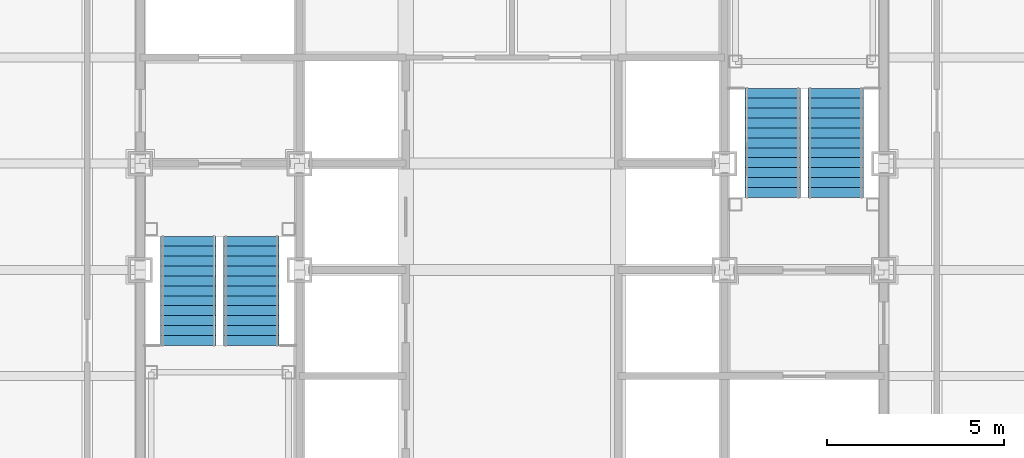
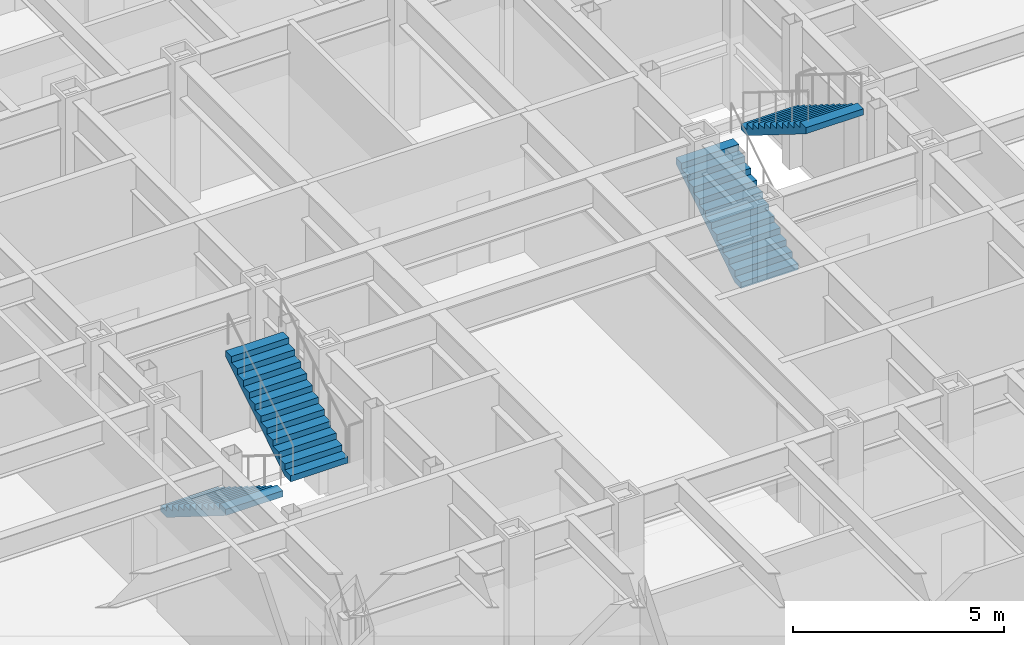
# One storey, part 13 of 16: 4 stair flights, 2 elements without a shape of their own.
"""IFC4 building model written with IfcOpenShell, lengths in metres."""

from ifc_helpers import new_model, si_unit, direction, frame, origin, place, context, subcontext, project, spatial, faceted_brep, material, type_object, element, aggregate, save


model = new_model("IFC4")

# Units and contexts
model_context = context("Model", 3, precision=1e-05, world=origin(), true_north=direction((0.0, 1.0)))
body_context = subcontext(model_context, "Body", "Model", "MODEL_VIEW")
ifc_project = project(units=[si_unit("LENGTHUNIT", "METRE"), si_unit("AREAUNIT", "SQUARE_METRE"), si_unit("VOLUMEUNIT", "CUBIC_METRE"), si_unit("PLANEANGLEUNIT", "RADIAN"), si_unit("MASSUNIT", "GRAM", prefix="KILO")], contexts=[model_context])

# Site, building, storey
site_placement = place(None, origin())
site = spatial("IfcSite", under=ifc_project, at=site_placement, CompositionType="ELEMENT")
building_placement = place(site_placement, origin())
building = spatial("IfcBuilding", under=site, at=building_placement, Name="Chuquiago Exchange Tower", CompositionType="ELEMENT")
storey_placement = place(building_placement, frame((0.0, 0.0, 106.800048828125)))
storey = spatial("IfcBuildingStorey", under=building, at=storey_placement, Name="L22", CompositionType="ELEMENT", Elevation=106.800048828125)

# Stair, stair flights
ifc_material_1 = material(Name="Concrete C30/37, precast", Category="concrete")
stair_type_1 = type_object("IfcStairType", Name="ST1 half-turn stair 4200", PredefinedType="HALF_TURN_STAIR", material=ifc_material_1)
stair_1_placement = place(storey_placement, origin())
stair_1 = element("IfcStair", 1, at=stair_1_placement, inside=storey, type_object=stair_type_1, Name="Stair ST1 L22", PredefinedType="HALF_TURN_STAIR")
ifc_material_2 = material(Name="Concrete C30/37, precast", Category="concrete")
stair_flight_type = type_object("IfcStairFlightType", Name="ST-F flight 1570 for 4200 storey", PredefinedType="STRAIGHT", material=ifc_material_2)
stair_flight_1_placement = place(storey_placement, frame((13.360107421875, 21.949951171875, 0.0), z_axis=(0.0, 0.0, 1.0), x_axis=(0.0, -1.0, 0.0)))
stair_flight_1 = element("IfcStairFlight", 2, at=stair_flight_1_placement, type_object=stair_flight_type, Name="ST1 flight 1", NumberOfRisers=12, NumberOfTreads=11, PredefinedType="STRAIGHT", RiserHeight=0.175, TreadLength=0.28, context=body_context, shape_type="Brep", body=[
    faceted_brep([(0.0, 0.78515625, 0.0), (0.0, 0.78515625, 0.175048828125), (0.280029296875, 0.78515625, 0.175048828125), (0.280029296875, 0.78515625, 0.35009765625), (0.56005859375, 0.78515625, 0.35009765625), (0.56005859375, 0.78515625, 0.52490234375), (0.840087890625, 0.78515625, 0.52490234375), (0.840087890625, 0.78515625, 0.699951171875), (1.1201171875, 0.78515625, 0.699951171875), (1.1201171875, 0.78515625, 0.875), (1.39990234375, 0.78515625, 0.875), (1.39990234375, 0.78515625, 1.050048828125), (1.679931640625, 0.78515625, 1.050048828125), (1.679931640625, 0.78515625, 1.22509765625), (1.9599609375, 0.78515625, 1.22509765625), (1.9599609375, 0.78515625, 1.39990234375), (2.239990234375, 0.78515625, 1.39990234375), (2.239990234375, 0.78515625, 1.574951171875), (2.52001953125, 0.78515625, 1.574951171875), (2.52001953125, 0.78515625, 1.75), (2.800048828125, 0.78515625, 1.75), (2.800048828125, 0.78515625, 1.925048828125), (3.080078125, 0.78515625, 1.925048828125), (3.080078125, 0.78515625, 1.748291015625), (0.28271484375, 0.78515625, 0.0), (0.28271484375, -0.78515625, 0.0), (3.080078125, -0.78515625, 1.748291015625), (3.080078125, -0.78515625, 1.925048828125), (2.800048828125, -0.78515625, 1.925048828125), (2.800048828125, -0.78515625, 1.75), (2.52001953125, -0.78515625, 1.75), (2.52001953125, -0.78515625, 1.574951171875), (2.239990234375, -0.78515625, 1.574951171875), (2.239990234375, -0.78515625, 1.39990234375), (1.9599609375, -0.78515625, 1.39990234375), (1.9599609375, -0.78515625, 1.22509765625), (1.679931640625, -0.78515625, 1.22509765625), (1.679931640625, -0.78515625, 1.050048828125), (1.39990234375, -0.78515625, 1.050048828125), (1.39990234375, -0.78515625, 0.875), (1.1201171875, -0.78515625, 0.875), (1.1201171875, -0.78515625, 0.699951171875), (0.840087890625, -0.78515625, 0.699951171875), (0.840087890625, -0.78515625, 0.52490234375), (0.56005859375, -0.78515625, 0.52490234375), (0.56005859375, -0.78515625, 0.35009765625), (0.280029296875, -0.78515625, 0.35009765625), (0.280029296875, -0.78515625, 0.175048828125), (0.0, -0.78515625, 0.175048828125), (0.0, -0.78515625, 0.0), (0.0, 0.392578125, 0.0), (0.0, 0.392578125, 0.175048828125), (0.0, 0.0, 0.0), (0.0, 0.0, 0.175048828125), (0.0, -0.392578125, 0.0), (0.0, -0.392578125, 0.175048828125), (0.280029296875, 0.392578125, 0.175048828125), (0.280029296875, 0.0, 0.175048828125), (0.280029296875, -0.392578125, 0.175048828125), (0.280029296875, 0.392578125, 0.35009765625), (0.280029296875, 0.0, 0.35009765625), (0.280029296875, -0.392578125, 0.35009765625), (0.56005859375, 0.392578125, 0.35009765625), (0.56005859375, 0.0, 0.35009765625), (0.56005859375, -0.392578125, 0.35009765625), (0.56005859375, 0.392578125, 0.52490234375), (0.56005859375, 0.0, 0.52490234375), (0.56005859375, -0.392578125, 0.52490234375), (0.840087890625, 0.392578125, 0.52490234375), (0.840087890625, 0.0, 0.52490234375), (0.840087890625, -0.392578125, 0.52490234375), (0.840087890625, 0.392578125, 0.699951171875), (0.840087890625, 0.0, 0.699951171875), (0.840087890625, -0.392578125, 0.699951171875), (1.1201171875, 0.392578125, 0.699951171875), (1.1201171875, 0.0, 0.699951171875), (1.1201171875, -0.392578125, 0.699951171875), (1.1201171875, 0.392578125, 0.875), (1.1201171875, 0.0, 0.875), (1.1201171875, -0.392578125, 0.875), (1.39990234375, 0.392578125, 0.875), (1.39990234375, 0.0, 0.875), (1.39990234375, -0.392578125, 0.875), (1.39990234375, 0.392578125, 1.050048828125), (1.39990234375, 0.0, 1.050048828125), (1.39990234375, -0.392578125, 1.050048828125), (1.679931640625, 0.392578125, 1.050048828125), (1.679931640625, 0.0, 1.050048828125), (1.679931640625, -0.392578125, 1.050048828125), (1.679931640625, 0.392578125, 1.22509765625), (1.679931640625, 0.0, 1.22509765625), (1.679931640625, -0.392578125, 1.22509765625), (1.9599609375, 0.392578125, 1.22509765625), (1.9599609375, 0.0, 1.22509765625), (1.9599609375, -0.392578125, 1.22509765625), (1.9599609375, 0.392578125, 1.39990234375), (1.9599609375, 0.0, 1.39990234375), (1.9599609375, -0.392578125, 1.39990234375), (2.239990234375, 0.392578125, 1.39990234375), (2.239990234375, 0.0, 1.39990234375), (2.239990234375, -0.392578125, 1.39990234375), (2.239990234375, 0.392578125, 1.574951171875), (2.239990234375, 0.0, 1.574951171875), (2.239990234375, -0.392578125, 1.574951171875), (2.52001953125, 0.392578125, 1.574951171875), (2.52001953125, 0.0, 1.574951171875), (2.52001953125, -0.392578125, 1.574951171875), (2.52001953125, 0.392578125, 1.75), (2.52001953125, 0.0, 1.75), (2.52001953125, -0.392578125, 1.75), (2.800048828125, 0.392578125, 1.75), (2.800048828125, 0.0, 1.75), (2.800048828125, -0.392578125, 1.75), (2.800048828125, 0.392578125, 1.925048828125), (2.800048828125, 0.0, 1.925048828125), (2.800048828125, -0.392578125, 1.925048828125), (3.080078125, 0.392578125, 1.925048828125), (3.080078125, 0.0, 1.925048828125), (3.080078125, -0.392578125, 1.925048828125), (3.080078125, 0.392578125, 1.748291015625), (3.080078125, 0.0, 1.748291015625), (3.080078125, -0.392578125, 1.748291015625), (0.28271484375, 0.392578125, 0.0), (0.28271484375, 0.0, 0.0), (0.28271484375, -0.392578125, 0.0)], [[[0, 1, 2, 3, 4, 5, 6, 7, 8, 9, 10, 11, 12, 13, 14, 15, 16, 17, 18, 19, 20, 21, 22, 23, 24]], [[25, 26, 27, 28, 29, 30, 31, 32, 33, 34, 35, 36, 37, 38, 39, 40, 41, 42, 43, 44, 45, 46, 47, 48, 49]], [[1, 0, 50, 51]], [[51, 50, 52, 53]], [[53, 52, 54, 55]], [[55, 54, 49, 48]], [[2, 1, 51, 56]], [[56, 51, 53, 57]], [[57, 53, 55, 58]], [[58, 55, 48, 47]], [[3, 2, 56, 59]], [[59, 56, 57, 60]], [[60, 57, 58, 61]], [[61, 58, 47, 46]], [[4, 3, 59, 62]], [[62, 59, 60, 63]], [[63, 60, 61, 64]], [[64, 61, 46, 45]], [[5, 4, 62, 65]], [[65, 62, 63, 66]], [[66, 63, 64, 67]], [[67, 64, 45, 44]], [[6, 5, 65, 68]], [[68, 65, 66, 69]], [[69, 66, 67, 70]], [[70, 67, 44, 43]], [[7, 6, 68, 71]], [[71, 68, 69, 72]], [[72, 69, 70, 73]], [[73, 70, 43, 42]], [[8, 7, 71, 74]], [[74, 71, 72, 75]], [[75, 72, 73, 76]], [[76, 73, 42, 41]], [[9, 8, 74, 77]], [[77, 74, 75, 78]], [[78, 75, 76, 79]], [[79, 76, 41, 40]], [[10, 9, 77, 80]], [[80, 77, 78, 81]], [[81, 78, 79, 82]], [[82, 79, 40, 39]], [[11, 10, 80, 83]], [[83, 80, 81, 84]], [[84, 81, 82, 85]], [[85, 82, 39, 38]], [[12, 11, 83, 86]], [[86, 83, 84, 87]], [[87, 84, 85, 88]], [[88, 85, 38, 37]], [[13, 12, 86, 89]], [[89, 86, 87, 90]], [[90, 87, 88, 91]], [[91, 88, 37, 36]], [[14, 13, 89, 92]], [[92, 89, 90, 93]], [[93, 90, 91, 94]], [[94, 91, 36, 35]], [[15, 14, 92, 95]], [[95, 92, 93, 96]], [[96, 93, 94, 97]], [[97, 94, 35, 34]], [[16, 15, 95, 98]], [[98, 95, 96, 99]], [[99, 96, 97, 100]], [[100, 97, 34, 33]], [[17, 16, 98, 101]], [[101, 98, 99, 102]], [[102, 99, 100, 103]], [[103, 100, 33, 32]], [[18, 17, 101, 104]], [[104, 101, 102, 105]], [[105, 102, 103, 106]], [[106, 103, 32, 31]], [[19, 18, 104, 107]], [[107, 104, 105, 108]], [[108, 105, 106, 109]], [[109, 106, 31, 30]], [[20, 19, 107, 110]], [[110, 107, 108, 111]], [[111, 108, 109, 112]], [[112, 109, 30, 29]], [[21, 20, 110, 113]], [[113, 110, 111, 114]], [[114, 111, 112, 115]], [[115, 112, 29, 28]], [[22, 21, 113, 116]], [[116, 113, 114, 117]], [[117, 114, 115, 118]], [[118, 115, 28, 27]], [[23, 22, 116, 119]], [[119, 116, 117, 120]], [[120, 117, 118, 121]], [[121, 118, 27, 26]], [[24, 23, 119, 122]], [[122, 119, 120, 123]], [[123, 120, 121, 124]], [[124, 121, 26, 25]], [[0, 24, 122, 50]], [[50, 122, 123, 52]], [[52, 123, 124, 54]], [[54, 124, 25, 49]]]),
])
stair_flight_2_placement = place(storey_placement, frame((15.139892578125, 18.8701171875, 2.099853515625), z_axis=(0.0, 0.0, 1.0), x_axis=(0.0, 1.0, 0.0)))
stair_flight_2 = element("IfcStairFlight", 3, at=stair_flight_2_placement, type_object=stair_flight_type, Name="ST1 flight 2", NumberOfRisers=12, NumberOfTreads=11, PredefinedType="STRAIGHT", RiserHeight=0.175, TreadLength=0.28, context=body_context, shape_type="Brep", body=[
    faceted_brep([(0.0, 0.78515625, 0.0), (0.0, 0.78515625, 0.175048828125), (0.280029296875, 0.78515625, 0.175048828125), (0.280029296875, 0.78515625, 0.35009765625), (0.56005859375, 0.78515625, 0.35009765625), (0.56005859375, 0.78515625, 0.52490234375), (0.840087890625, 0.78515625, 0.52490234375), (0.840087890625, 0.78515625, 0.699951171875), (1.1201171875, 0.78515625, 0.699951171875), (1.1201171875, 0.78515625, 0.875), (1.39990234375, 0.78515625, 0.875), (1.39990234375, 0.78515625, 1.050048828125), (1.679931640625, 0.78515625, 1.050048828125), (1.679931640625, 0.78515625, 1.22509765625), (1.9599609375, 0.78515625, 1.22509765625), (1.9599609375, 0.78515625, 1.39990234375), (2.239990234375, 0.78515625, 1.39990234375), (2.239990234375, 0.78515625, 1.574951171875), (2.52001953125, 0.78515625, 1.574951171875), (2.52001953125, 0.78515625, 1.75), (2.800048828125, 0.78515625, 1.75), (2.800048828125, 0.78515625, 1.925048828125), (3.080078125, 0.78515625, 1.925048828125), (3.080078125, 0.78515625, 1.748291015625), (0.28271484375, 0.78515625, 0.0), (0.28271484375, -0.78515625, 0.0), (3.080078125, -0.78515625, 1.748291015625), (3.080078125, -0.78515625, 1.925048828125), (2.800048828125, -0.78515625, 1.925048828125), (2.800048828125, -0.78515625, 1.75), (2.52001953125, -0.78515625, 1.75), (2.52001953125, -0.78515625, 1.574951171875), (2.239990234375, -0.78515625, 1.574951171875), (2.239990234375, -0.78515625, 1.39990234375), (1.9599609375, -0.78515625, 1.39990234375), (1.9599609375, -0.78515625, 1.22509765625), (1.679931640625, -0.78515625, 1.22509765625), (1.679931640625, -0.78515625, 1.050048828125), (1.39990234375, -0.78515625, 1.050048828125), (1.39990234375, -0.78515625, 0.875), (1.1201171875, -0.78515625, 0.875), (1.1201171875, -0.78515625, 0.699951171875), (0.840087890625, -0.78515625, 0.699951171875), (0.840087890625, -0.78515625, 0.52490234375), (0.56005859375, -0.78515625, 0.52490234375), (0.56005859375, -0.78515625, 0.35009765625), (0.280029296875, -0.78515625, 0.35009765625), (0.280029296875, -0.78515625, 0.175048828125), (0.0, -0.78515625, 0.175048828125), (0.0, -0.78515625, 0.0), (0.0, 0.392578125, 0.0), (0.0, 0.392578125, 0.175048828125), (0.0, 0.0, 0.0), (0.0, 0.0, 0.175048828125), (0.0, -0.392578125, 0.0), (0.0, -0.392578125, 0.175048828125), (0.280029296875, 0.392578125, 0.175048828125), (0.280029296875, 0.0, 0.175048828125), (0.280029296875, -0.392578125, 0.175048828125), (0.280029296875, 0.392578125, 0.35009765625), (0.280029296875, 0.0, 0.35009765625), (0.280029296875, -0.392578125, 0.35009765625), (0.56005859375, 0.392578125, 0.35009765625), (0.56005859375, 0.0, 0.35009765625), (0.56005859375, -0.392578125, 0.35009765625), (0.56005859375, 0.392578125, 0.52490234375), (0.56005859375, 0.0, 0.52490234375), (0.56005859375, -0.392578125, 0.52490234375), (0.840087890625, 0.392578125, 0.52490234375), (0.840087890625, 0.0, 0.52490234375), (0.840087890625, -0.392578125, 0.52490234375), (0.840087890625, 0.392578125, 0.699951171875), (0.840087890625, 0.0, 0.699951171875), (0.840087890625, -0.392578125, 0.699951171875), (1.1201171875, 0.392578125, 0.699951171875), (1.1201171875, 0.0, 0.699951171875), (1.1201171875, -0.392578125, 0.699951171875), (1.1201171875, 0.392578125, 0.875), (1.1201171875, 0.0, 0.875), (1.1201171875, -0.392578125, 0.875), (1.39990234375, 0.392578125, 0.875), (1.39990234375, 0.0, 0.875), (1.39990234375, -0.392578125, 0.875), (1.39990234375, 0.392578125, 1.050048828125), (1.39990234375, 0.0, 1.050048828125), (1.39990234375, -0.392578125, 1.050048828125), (1.679931640625, 0.392578125, 1.050048828125), (1.679931640625, 0.0, 1.050048828125), (1.679931640625, -0.392578125, 1.050048828125), (1.679931640625, 0.392578125, 1.22509765625), (1.679931640625, 0.0, 1.22509765625), (1.679931640625, -0.392578125, 1.22509765625), (1.9599609375, 0.392578125, 1.22509765625), (1.9599609375, 0.0, 1.22509765625), (1.9599609375, -0.392578125, 1.22509765625), (1.9599609375, 0.392578125, 1.39990234375), (1.9599609375, 0.0, 1.39990234375), (1.9599609375, -0.392578125, 1.39990234375), (2.239990234375, 0.392578125, 1.39990234375), (2.239990234375, 0.0, 1.39990234375), (2.239990234375, -0.392578125, 1.39990234375), (2.239990234375, 0.392578125, 1.574951171875), (2.239990234375, 0.0, 1.574951171875), (2.239990234375, -0.392578125, 1.574951171875), (2.52001953125, 0.392578125, 1.574951171875), (2.52001953125, 0.0, 1.574951171875), (2.52001953125, -0.392578125, 1.574951171875), (2.52001953125, 0.392578125, 1.75), (2.52001953125, 0.0, 1.75), (2.52001953125, -0.392578125, 1.75), (2.800048828125, 0.392578125, 1.75), (2.800048828125, 0.0, 1.75), (2.800048828125, -0.392578125, 1.75), (2.800048828125, 0.392578125, 1.925048828125), (2.800048828125, 0.0, 1.925048828125), (2.800048828125, -0.392578125, 1.925048828125), (3.080078125, 0.392578125, 1.925048828125), (3.080078125, 0.0, 1.925048828125), (3.080078125, -0.392578125, 1.925048828125), (3.080078125, 0.392578125, 1.748291015625), (3.080078125, 0.0, 1.748291015625), (3.080078125, -0.392578125, 1.748291015625), (0.28271484375, 0.392578125, 0.0), (0.28271484375, 0.0, 0.0), (0.28271484375, -0.392578125, 0.0)], [[[0, 1, 2, 3, 4, 5, 6, 7, 8, 9, 10, 11, 12, 13, 14, 15, 16, 17, 18, 19, 20, 21, 22, 23, 24]], [[25, 26, 27, 28, 29, 30, 31, 32, 33, 34, 35, 36, 37, 38, 39, 40, 41, 42, 43, 44, 45, 46, 47, 48, 49]], [[1, 0, 50, 51]], [[51, 50, 52, 53]], [[53, 52, 54, 55]], [[55, 54, 49, 48]], [[2, 1, 51, 56]], [[56, 51, 53, 57]], [[57, 53, 55, 58]], [[58, 55, 48, 47]], [[3, 2, 56, 59]], [[59, 56, 57, 60]], [[60, 57, 58, 61]], [[61, 58, 47, 46]], [[4, 3, 59, 62]], [[62, 59, 60, 63]], [[63, 60, 61, 64]], [[64, 61, 46, 45]], [[5, 4, 62, 65]], [[65, 62, 63, 66]], [[66, 63, 64, 67]], [[67, 64, 45, 44]], [[6, 5, 65, 68]], [[68, 65, 66, 69]], [[69, 66, 67, 70]], [[70, 67, 44, 43]], [[7, 6, 68, 71]], [[71, 68, 69, 72]], [[72, 69, 70, 73]], [[73, 70, 43, 42]], [[8, 7, 71, 74]], [[74, 71, 72, 75]], [[75, 72, 73, 76]], [[76, 73, 42, 41]], [[9, 8, 74, 77]], [[77, 74, 75, 78]], [[78, 75, 76, 79]], [[79, 76, 41, 40]], [[10, 9, 77, 80]], [[80, 77, 78, 81]], [[81, 78, 79, 82]], [[82, 79, 40, 39]], [[11, 10, 80, 83]], [[83, 80, 81, 84]], [[84, 81, 82, 85]], [[85, 82, 39, 38]], [[12, 11, 83, 86]], [[86, 83, 84, 87]], [[87, 84, 85, 88]], [[88, 85, 38, 37]], [[13, 12, 86, 89]], [[89, 86, 87, 90]], [[90, 87, 88, 91]], [[91, 88, 37, 36]], [[14, 13, 89, 92]], [[92, 89, 90, 93]], [[93, 90, 91, 94]], [[94, 91, 36, 35]], [[15, 14, 92, 95]], [[95, 92, 93, 96]], [[96, 93, 94, 97]], [[97, 94, 35, 34]], [[16, 15, 95, 98]], [[98, 95, 96, 99]], [[99, 96, 97, 100]], [[100, 97, 34, 33]], [[17, 16, 98, 101]], [[101, 98, 99, 102]], [[102, 99, 100, 103]], [[103, 100, 33, 32]], [[18, 17, 101, 104]], [[104, 101, 102, 105]], [[105, 102, 103, 106]], [[106, 103, 32, 31]], [[19, 18, 104, 107]], [[107, 104, 105, 108]], [[108, 105, 106, 109]], [[109, 106, 31, 30]], [[20, 19, 107, 110]], [[110, 107, 108, 111]], [[111, 108, 109, 112]], [[112, 109, 30, 29]], [[21, 20, 110, 113]], [[113, 110, 111, 114]], [[114, 111, 112, 115]], [[115, 112, 29, 28]], [[22, 21, 113, 116]], [[116, 113, 114, 117]], [[117, 114, 115, 118]], [[118, 115, 28, 27]], [[23, 22, 116, 119]], [[119, 116, 117, 120]], [[120, 117, 118, 121]], [[121, 118, 27, 26]], [[24, 23, 119, 122]], [[122, 119, 120, 123]], [[123, 120, 121, 124]], [[124, 121, 26, 25]], [[0, 24, 122, 50]], [[50, 122, 123, 52]], [[52, 123, 124, 54]], [[54, 124, 25, 49]]]),
])
aggregate(stair_1, [stair_flight_1, stair_flight_2])

ifc_material_3 = material(Name="Concrete C30/37, precast", Category="concrete")
stair_type_2 = type_object("IfcStairType", Name="ST2 half-turn stair 4200", PredefinedType="HALF_TURN_STAIR", material=ifc_material_3)
stair_2_placement = place(storey_placement, origin())
stair_2 = element("IfcStair", 4, at=stair_2_placement, inside=storey, type_object=stair_type_2, Name="Stair ST2 L22", PredefinedType="HALF_TURN_STAIR")
stair_flight_3_placement = place(storey_placement, frame((29.860107421875, 23.050048828125, 0.0), z_axis=(0.0, 0.0, 1.0), x_axis=(0.0, 1.0, 0.0)))
stair_flight_3 = element("IfcStairFlight", 5, at=stair_flight_3_placement, type_object=stair_flight_type, Name="ST2 flight 1", NumberOfRisers=12, NumberOfTreads=11, PredefinedType="STRAIGHT", RiserHeight=0.175, TreadLength=0.28, context=body_context, shape_type="Brep", body=[
    faceted_brep([(0.0, 0.78515625, 0.0), (0.0, 0.78515625, 0.175048828125), (0.280029296875, 0.78515625, 0.175048828125), (0.280029296875, 0.78515625, 0.35009765625), (0.56005859375, 0.78515625, 0.35009765625), (0.56005859375, 0.78515625, 0.52490234375), (0.840087890625, 0.78515625, 0.52490234375), (0.840087890625, 0.78515625, 0.699951171875), (1.1201171875, 0.78515625, 0.699951171875), (1.1201171875, 0.78515625, 0.875), (1.39990234375, 0.78515625, 0.875), (1.39990234375, 0.78515625, 1.050048828125), (1.679931640625, 0.78515625, 1.050048828125), (1.679931640625, 0.78515625, 1.22509765625), (1.9599609375, 0.78515625, 1.22509765625), (1.9599609375, 0.78515625, 1.39990234375), (2.239990234375, 0.78515625, 1.39990234375), (2.239990234375, 0.78515625, 1.574951171875), (2.52001953125, 0.78515625, 1.574951171875), (2.52001953125, 0.78515625, 1.75), (2.800048828125, 0.78515625, 1.75), (2.800048828125, 0.78515625, 1.925048828125), (3.080078125, 0.78515625, 1.925048828125), (3.080078125, 0.78515625, 1.748291015625), (0.28271484375, 0.78515625, 0.0), (0.28271484375, -0.78515625, 0.0), (3.080078125, -0.78515625, 1.748291015625), (3.080078125, -0.78515625, 1.925048828125), (2.800048828125, -0.78515625, 1.925048828125), (2.800048828125, -0.78515625, 1.75), (2.52001953125, -0.78515625, 1.75), (2.52001953125, -0.78515625, 1.574951171875), (2.239990234375, -0.78515625, 1.574951171875), (2.239990234375, -0.78515625, 1.39990234375), (1.9599609375, -0.78515625, 1.39990234375), (1.9599609375, -0.78515625, 1.22509765625), (1.679931640625, -0.78515625, 1.22509765625), (1.679931640625, -0.78515625, 1.050048828125), (1.39990234375, -0.78515625, 1.050048828125), (1.39990234375, -0.78515625, 0.875), (1.1201171875, -0.78515625, 0.875), (1.1201171875, -0.78515625, 0.699951171875), (0.840087890625, -0.78515625, 0.699951171875), (0.840087890625, -0.78515625, 0.52490234375), (0.56005859375, -0.78515625, 0.52490234375), (0.56005859375, -0.78515625, 0.35009765625), (0.280029296875, -0.78515625, 0.35009765625), (0.280029296875, -0.78515625, 0.175048828125), (0.0, -0.78515625, 0.175048828125), (0.0, -0.78515625, 0.0), (0.0, 0.392578125, 0.0), (0.0, 0.392578125, 0.175048828125), (0.0, 0.0, 0.0), (0.0, 0.0, 0.175048828125), (0.0, -0.392578125, 0.0), (0.0, -0.392578125, 0.175048828125), (0.280029296875, 0.392578125, 0.175048828125), (0.280029296875, 0.0, 0.175048828125), (0.280029296875, -0.392578125, 0.175048828125), (0.280029296875, 0.392578125, 0.35009765625), (0.280029296875, 0.0, 0.35009765625), (0.280029296875, -0.392578125, 0.35009765625), (0.56005859375, 0.392578125, 0.35009765625), (0.56005859375, 0.0, 0.35009765625), (0.56005859375, -0.392578125, 0.35009765625), (0.56005859375, 0.392578125, 0.52490234375), (0.56005859375, 0.0, 0.52490234375), (0.56005859375, -0.392578125, 0.52490234375), (0.840087890625, 0.392578125, 0.52490234375), (0.840087890625, 0.0, 0.52490234375), (0.840087890625, -0.392578125, 0.52490234375), (0.840087890625, 0.392578125, 0.699951171875), (0.840087890625, 0.0, 0.699951171875), (0.840087890625, -0.392578125, 0.699951171875), (1.1201171875, 0.392578125, 0.699951171875), (1.1201171875, 0.0, 0.699951171875), (1.1201171875, -0.392578125, 0.699951171875), (1.1201171875, 0.392578125, 0.875), (1.1201171875, 0.0, 0.875), (1.1201171875, -0.392578125, 0.875), (1.39990234375, 0.392578125, 0.875), (1.39990234375, 0.0, 0.875), (1.39990234375, -0.392578125, 0.875), (1.39990234375, 0.392578125, 1.050048828125), (1.39990234375, 0.0, 1.050048828125), (1.39990234375, -0.392578125, 1.050048828125), (1.679931640625, 0.392578125, 1.050048828125), (1.679931640625, 0.0, 1.050048828125), (1.679931640625, -0.392578125, 1.050048828125), (1.679931640625, 0.392578125, 1.22509765625), (1.679931640625, 0.0, 1.22509765625), (1.679931640625, -0.392578125, 1.22509765625), (1.9599609375, 0.392578125, 1.22509765625), (1.9599609375, 0.0, 1.22509765625), (1.9599609375, -0.392578125, 1.22509765625), (1.9599609375, 0.392578125, 1.39990234375), (1.9599609375, 0.0, 1.39990234375), (1.9599609375, -0.392578125, 1.39990234375), (2.239990234375, 0.392578125, 1.39990234375), (2.239990234375, 0.0, 1.39990234375), (2.239990234375, -0.392578125, 1.39990234375), (2.239990234375, 0.392578125, 1.574951171875), (2.239990234375, 0.0, 1.574951171875), (2.239990234375, -0.392578125, 1.574951171875), (2.52001953125, 0.392578125, 1.574951171875), (2.52001953125, 0.0, 1.574951171875), (2.52001953125, -0.392578125, 1.574951171875), (2.52001953125, 0.392578125, 1.75), (2.52001953125, 0.0, 1.75), (2.52001953125, -0.392578125, 1.75), (2.800048828125, 0.392578125, 1.75), (2.800048828125, 0.0, 1.75), (2.800048828125, -0.392578125, 1.75), (2.800048828125, 0.392578125, 1.925048828125), (2.800048828125, 0.0, 1.925048828125), (2.800048828125, -0.392578125, 1.925048828125), (3.080078125, 0.392578125, 1.925048828125), (3.080078125, 0.0, 1.925048828125), (3.080078125, -0.392578125, 1.925048828125), (3.080078125, 0.392578125, 1.748291015625), (3.080078125, 0.0, 1.748291015625), (3.080078125, -0.392578125, 1.748291015625), (0.28271484375, 0.392578125, 0.0), (0.28271484375, 0.0, 0.0), (0.28271484375, -0.392578125, 0.0)], [[[0, 1, 2, 3, 4, 5, 6, 7, 8, 9, 10, 11, 12, 13, 14, 15, 16, 17, 18, 19, 20, 21, 22, 23, 24]], [[25, 26, 27, 28, 29, 30, 31, 32, 33, 34, 35, 36, 37, 38, 39, 40, 41, 42, 43, 44, 45, 46, 47, 48, 49]], [[1, 0, 50, 51]], [[51, 50, 52, 53]], [[53, 52, 54, 55]], [[55, 54, 49, 48]], [[2, 1, 51, 56]], [[56, 51, 53, 57]], [[57, 53, 55, 58]], [[58, 55, 48, 47]], [[3, 2, 56, 59]], [[59, 56, 57, 60]], [[60, 57, 58, 61]], [[61, 58, 47, 46]], [[4, 3, 59, 62]], [[62, 59, 60, 63]], [[63, 60, 61, 64]], [[64, 61, 46, 45]], [[5, 4, 62, 65]], [[65, 62, 63, 66]], [[66, 63, 64, 67]], [[67, 64, 45, 44]], [[6, 5, 65, 68]], [[68, 65, 66, 69]], [[69, 66, 67, 70]], [[70, 67, 44, 43]], [[7, 6, 68, 71]], [[71, 68, 69, 72]], [[72, 69, 70, 73]], [[73, 70, 43, 42]], [[8, 7, 71, 74]], [[74, 71, 72, 75]], [[75, 72, 73, 76]], [[76, 73, 42, 41]], [[9, 8, 74, 77]], [[77, 74, 75, 78]], [[78, 75, 76, 79]], [[79, 76, 41, 40]], [[10, 9, 77, 80]], [[80, 77, 78, 81]], [[81, 78, 79, 82]], [[82, 79, 40, 39]], [[11, 10, 80, 83]], [[83, 80, 81, 84]], [[84, 81, 82, 85]], [[85, 82, 39, 38]], [[12, 11, 83, 86]], [[86, 83, 84, 87]], [[87, 84, 85, 88]], [[88, 85, 38, 37]], [[13, 12, 86, 89]], [[89, 86, 87, 90]], [[90, 87, 88, 91]], [[91, 88, 37, 36]], [[14, 13, 89, 92]], [[92, 89, 90, 93]], [[93, 90, 91, 94]], [[94, 91, 36, 35]], [[15, 14, 92, 95]], [[95, 92, 93, 96]], [[96, 93, 94, 97]], [[97, 94, 35, 34]], [[16, 15, 95, 98]], [[98, 95, 96, 99]], [[99, 96, 97, 100]], [[100, 97, 34, 33]], [[17, 16, 98, 101]], [[101, 98, 99, 102]], [[102, 99, 100, 103]], [[103, 100, 33, 32]], [[18, 17, 101, 104]], [[104, 101, 102, 105]], [[105, 102, 103, 106]], [[106, 103, 32, 31]], [[19, 18, 104, 107]], [[107, 104, 105, 108]], [[108, 105, 106, 109]], [[109, 106, 31, 30]], [[20, 19, 107, 110]], [[110, 107, 108, 111]], [[111, 108, 109, 112]], [[112, 109, 30, 29]], [[21, 20, 110, 113]], [[113, 110, 111, 114]], [[114, 111, 112, 115]], [[115, 112, 29, 28]], [[22, 21, 113, 116]], [[116, 113, 114, 117]], [[117, 114, 115, 118]], [[118, 115, 28, 27]], [[23, 22, 116, 119]], [[119, 116, 117, 120]], [[120, 117, 118, 121]], [[121, 118, 27, 26]], [[24, 23, 119, 122]], [[122, 119, 120, 123]], [[123, 120, 121, 124]], [[124, 121, 26, 25]], [[0, 24, 122, 50]], [[50, 122, 123, 52]], [[52, 123, 124, 54]], [[54, 124, 25, 49]]]),
])
stair_flight_4_placement = place(storey_placement, frame((31.639892578125, 26.1298828125, 2.099853515625), z_axis=(0.0, 0.0, 1.0), x_axis=(0.0, -1.0, 0.0)))
stair_flight_4 = element("IfcStairFlight", 6, at=stair_flight_4_placement, type_object=stair_flight_type, Name="ST2 flight 2", NumberOfRisers=12, NumberOfTreads=11, PredefinedType="STRAIGHT", RiserHeight=0.175, TreadLength=0.28, context=body_context, shape_type="Brep", body=[
    faceted_brep([(0.0, 0.78515625, 0.0), (0.0, 0.78515625, 0.175048828125), (0.280029296875, 0.78515625, 0.175048828125), (0.280029296875, 0.78515625, 0.35009765625), (0.56005859375, 0.78515625, 0.35009765625), (0.56005859375, 0.78515625, 0.52490234375), (0.840087890625, 0.78515625, 0.52490234375), (0.840087890625, 0.78515625, 0.699951171875), (1.1201171875, 0.78515625, 0.699951171875), (1.1201171875, 0.78515625, 0.875), (1.39990234375, 0.78515625, 0.875), (1.39990234375, 0.78515625, 1.050048828125), (1.679931640625, 0.78515625, 1.050048828125), (1.679931640625, 0.78515625, 1.22509765625), (1.9599609375, 0.78515625, 1.22509765625), (1.9599609375, 0.78515625, 1.39990234375), (2.239990234375, 0.78515625, 1.39990234375), (2.239990234375, 0.78515625, 1.574951171875), (2.52001953125, 0.78515625, 1.574951171875), (2.52001953125, 0.78515625, 1.75), (2.800048828125, 0.78515625, 1.75), (2.800048828125, 0.78515625, 1.925048828125), (3.080078125, 0.78515625, 1.925048828125), (3.080078125, 0.78515625, 1.748291015625), (0.28271484375, 0.78515625, 0.0), (0.28271484375, -0.78515625, 0.0), (3.080078125, -0.78515625, 1.748291015625), (3.080078125, -0.78515625, 1.925048828125), (2.800048828125, -0.78515625, 1.925048828125), (2.800048828125, -0.78515625, 1.75), (2.52001953125, -0.78515625, 1.75), (2.52001953125, -0.78515625, 1.574951171875), (2.239990234375, -0.78515625, 1.574951171875), (2.239990234375, -0.78515625, 1.39990234375), (1.9599609375, -0.78515625, 1.39990234375), (1.9599609375, -0.78515625, 1.22509765625), (1.679931640625, -0.78515625, 1.22509765625), (1.679931640625, -0.78515625, 1.050048828125), (1.39990234375, -0.78515625, 1.050048828125), (1.39990234375, -0.78515625, 0.875), (1.1201171875, -0.78515625, 0.875), (1.1201171875, -0.78515625, 0.699951171875), (0.840087890625, -0.78515625, 0.699951171875), (0.840087890625, -0.78515625, 0.52490234375), (0.56005859375, -0.78515625, 0.52490234375), (0.56005859375, -0.78515625, 0.35009765625), (0.280029296875, -0.78515625, 0.35009765625), (0.280029296875, -0.78515625, 0.175048828125), (0.0, -0.78515625, 0.175048828125), (0.0, -0.78515625, 0.0), (0.0, 0.392578125, 0.0), (0.0, 0.392578125, 0.175048828125), (0.0, 0.0, 0.0), (0.0, 0.0, 0.175048828125), (0.0, -0.392578125, 0.0), (0.0, -0.392578125, 0.175048828125), (0.280029296875, 0.392578125, 0.175048828125), (0.280029296875, 0.0, 0.175048828125), (0.280029296875, -0.392578125, 0.175048828125), (0.280029296875, 0.392578125, 0.35009765625), (0.280029296875, 0.0, 0.35009765625), (0.280029296875, -0.392578125, 0.35009765625), (0.56005859375, 0.392578125, 0.35009765625), (0.56005859375, 0.0, 0.35009765625), (0.56005859375, -0.392578125, 0.35009765625), (0.56005859375, 0.392578125, 0.52490234375), (0.56005859375, 0.0, 0.52490234375), (0.56005859375, -0.392578125, 0.52490234375), (0.840087890625, 0.392578125, 0.52490234375), (0.840087890625, 0.0, 0.52490234375), (0.840087890625, -0.392578125, 0.52490234375), (0.840087890625, 0.392578125, 0.699951171875), (0.840087890625, 0.0, 0.699951171875), (0.840087890625, -0.392578125, 0.699951171875), (1.1201171875, 0.392578125, 0.699951171875), (1.1201171875, 0.0, 0.699951171875), (1.1201171875, -0.392578125, 0.699951171875), (1.1201171875, 0.392578125, 0.875), (1.1201171875, 0.0, 0.875), (1.1201171875, -0.392578125, 0.875), (1.39990234375, 0.392578125, 0.875), (1.39990234375, 0.0, 0.875), (1.39990234375, -0.392578125, 0.875), (1.39990234375, 0.392578125, 1.050048828125), (1.39990234375, 0.0, 1.050048828125), (1.39990234375, -0.392578125, 1.050048828125), (1.679931640625, 0.392578125, 1.050048828125), (1.679931640625, 0.0, 1.050048828125), (1.679931640625, -0.392578125, 1.050048828125), (1.679931640625, 0.392578125, 1.22509765625), (1.679931640625, 0.0, 1.22509765625), (1.679931640625, -0.392578125, 1.22509765625), (1.9599609375, 0.392578125, 1.22509765625), (1.9599609375, 0.0, 1.22509765625), (1.9599609375, -0.392578125, 1.22509765625), (1.9599609375, 0.392578125, 1.39990234375), (1.9599609375, 0.0, 1.39990234375), (1.9599609375, -0.392578125, 1.39990234375), (2.239990234375, 0.392578125, 1.39990234375), (2.239990234375, 0.0, 1.39990234375), (2.239990234375, -0.392578125, 1.39990234375), (2.239990234375, 0.392578125, 1.574951171875), (2.239990234375, 0.0, 1.574951171875), (2.239990234375, -0.392578125, 1.574951171875), (2.52001953125, 0.392578125, 1.574951171875), (2.52001953125, 0.0, 1.574951171875), (2.52001953125, -0.392578125, 1.574951171875), (2.52001953125, 0.392578125, 1.75), (2.52001953125, 0.0, 1.75), (2.52001953125, -0.392578125, 1.75), (2.800048828125, 0.392578125, 1.75), (2.800048828125, 0.0, 1.75), (2.800048828125, -0.392578125, 1.75), (2.800048828125, 0.392578125, 1.925048828125), (2.800048828125, 0.0, 1.925048828125), (2.800048828125, -0.392578125, 1.925048828125), (3.080078125, 0.392578125, 1.925048828125), (3.080078125, 0.0, 1.925048828125), (3.080078125, -0.392578125, 1.925048828125), (3.080078125, 0.392578125, 1.748291015625), (3.080078125, 0.0, 1.748291015625), (3.080078125, -0.392578125, 1.748291015625), (0.28271484375, 0.392578125, 0.0), (0.28271484375, 0.0, 0.0), (0.28271484375, -0.392578125, 0.0)], [[[0, 1, 2, 3, 4, 5, 6, 7, 8, 9, 10, 11, 12, 13, 14, 15, 16, 17, 18, 19, 20, 21, 22, 23, 24]], [[25, 26, 27, 28, 29, 30, 31, 32, 33, 34, 35, 36, 37, 38, 39, 40, 41, 42, 43, 44, 45, 46, 47, 48, 49]], [[1, 0, 50, 51]], [[51, 50, 52, 53]], [[53, 52, 54, 55]], [[55, 54, 49, 48]], [[2, 1, 51, 56]], [[56, 51, 53, 57]], [[57, 53, 55, 58]], [[58, 55, 48, 47]], [[3, 2, 56, 59]], [[59, 56, 57, 60]], [[60, 57, 58, 61]], [[61, 58, 47, 46]], [[4, 3, 59, 62]], [[62, 59, 60, 63]], [[63, 60, 61, 64]], [[64, 61, 46, 45]], [[5, 4, 62, 65]], [[65, 62, 63, 66]], [[66, 63, 64, 67]], [[67, 64, 45, 44]], [[6, 5, 65, 68]], [[68, 65, 66, 69]], [[69, 66, 67, 70]], [[70, 67, 44, 43]], [[7, 6, 68, 71]], [[71, 68, 69, 72]], [[72, 69, 70, 73]], [[73, 70, 43, 42]], [[8, 7, 71, 74]], [[74, 71, 72, 75]], [[75, 72, 73, 76]], [[76, 73, 42, 41]], [[9, 8, 74, 77]], [[77, 74, 75, 78]], [[78, 75, 76, 79]], [[79, 76, 41, 40]], [[10, 9, 77, 80]], [[80, 77, 78, 81]], [[81, 78, 79, 82]], [[82, 79, 40, 39]], [[11, 10, 80, 83]], [[83, 80, 81, 84]], [[84, 81, 82, 85]], [[85, 82, 39, 38]], [[12, 11, 83, 86]], [[86, 83, 84, 87]], [[87, 84, 85, 88]], [[88, 85, 38, 37]], [[13, 12, 86, 89]], [[89, 86, 87, 90]], [[90, 87, 88, 91]], [[91, 88, 37, 36]], [[14, 13, 89, 92]], [[92, 89, 90, 93]], [[93, 90, 91, 94]], [[94, 91, 36, 35]], [[15, 14, 92, 95]], [[95, 92, 93, 96]], [[96, 93, 94, 97]], [[97, 94, 35, 34]], [[16, 15, 95, 98]], [[98, 95, 96, 99]], [[99, 96, 97, 100]], [[100, 97, 34, 33]], [[17, 16, 98, 101]], [[101, 98, 99, 102]], [[102, 99, 100, 103]], [[103, 100, 33, 32]], [[18, 17, 101, 104]], [[104, 101, 102, 105]], [[105, 102, 103, 106]], [[106, 103, 32, 31]], [[19, 18, 104, 107]], [[107, 104, 105, 108]], [[108, 105, 106, 109]], [[109, 106, 31, 30]], [[20, 19, 107, 110]], [[110, 107, 108, 111]], [[111, 108, 109, 112]], [[112, 109, 30, 29]], [[21, 20, 110, 113]], [[113, 110, 111, 114]], [[114, 111, 112, 115]], [[115, 112, 29, 28]], [[22, 21, 113, 116]], [[116, 113, 114, 117]], [[117, 114, 115, 118]], [[118, 115, 28, 27]], [[23, 22, 116, 119]], [[119, 116, 117, 120]], [[120, 117, 118, 121]], [[121, 118, 27, 26]], [[24, 23, 119, 122]], [[122, 119, 120, 123]], [[123, 120, 121, 124]], [[124, 121, 26, 25]], [[0, 24, 122, 50]], [[50, 122, 123, 52]], [[52, 123, 124, 54]], [[54, 124, 25, 49]]]),
])
aggregate(stair_2, [stair_flight_3, stair_flight_4])

save(model, "model.ifc")
